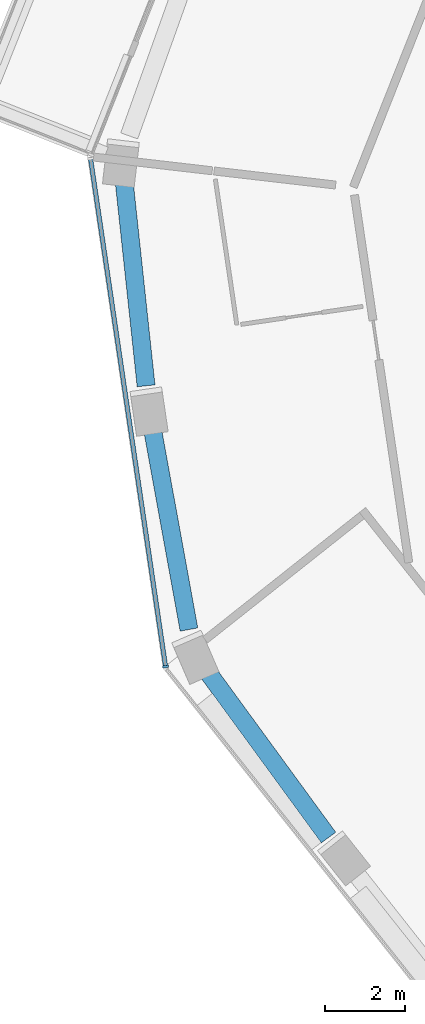
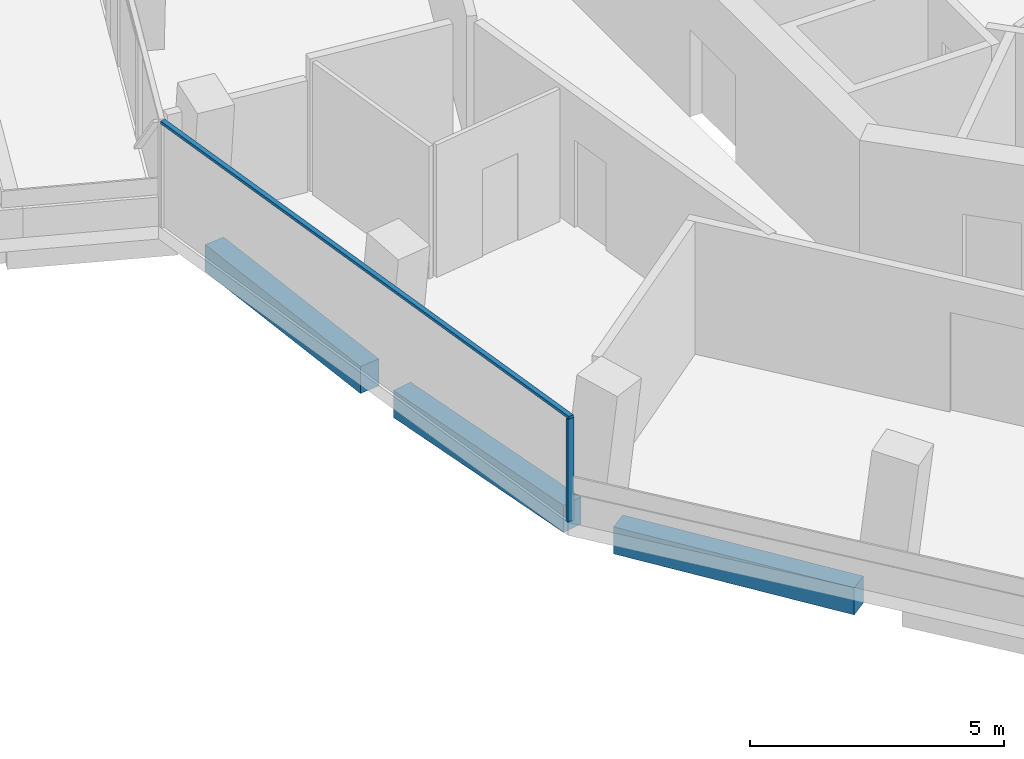
# One storey, part 3 of 21: 3 beams, 2 members, 1 element without a shape of its own.
"""IFC4 building model written with IfcOpenShell, lengths in metres."""

from ifc_helpers import new_model, si_unit, direction, frame, origin, origin_2d, place, context, subcontext, project, spatial, rectangle, extrude, material, layer, layer_set, material_profile, profile_set, type_object, element, aggregate, save


model = new_model("IFC4")

# Units and contexts
model_context = context("Model", 3, precision=1e-05, world=origin(), true_north=direction((0.0, 1.0)))
body_context = subcontext(model_context, "Body", "Model", "MODEL_VIEW")
ifc_project = project(units=[si_unit("LENGTHUNIT", "METRE"), si_unit("AREAUNIT", "SQUARE_METRE"), si_unit("VOLUMEUNIT", "CUBIC_METRE"), si_unit("PLANEANGLEUNIT", "RADIAN"), si_unit("MASSUNIT", "GRAM", prefix="KILO")], contexts=[model_context])

# Site, building, storey
site_placement = place(None, origin())
site = spatial("IfcSite", under=ifc_project, at=site_placement, CompositionType="ELEMENT")
building_placement = place(site_placement, origin())
building = spatial("IfcBuilding", under=site, at=building_placement, Name="Verdalira Terraces Hotel", CompositionType="ELEMENT")
storey_placement = place(building_placement, frame((0.0, 0.0, 190.5)))
storey = spatial("IfcBuildingStorey", under=building, at=storey_placement, Name="L46", CompositionType="ELEMENT", Elevation=190.5)

# Curtain wall, members
ifc_material_1 = material(Name="Clear glass", Category="glass")
ifc_layer = layer(ifc_material_1, 0.14990234375)
ifc_layer_set = layer_set([ifc_layer], Name="CW1 curtain wall")
curtain_wall_type = type_object("IfcCurtainWallType", Name="CW1 curtain wall", PredefinedType="NOTDEFINED", material=ifc_layer_set)
curtain_wall_placement = place(storey_placement, origin())
curtain_wall = element("IfcCurtainWall", 1, at=curtain_wall_placement, inside=storey, type_object=curtain_wall_type, Name="CW1 curtain wall L46 edge 12", PredefinedType="NOTDEFINED")
ifc_material_2 = material(Name="Terracotta frame", Category="masonry")
ifc_material_profile_1 = material_profile(ifc_material_2, rectangle(XDim=0.060059, YDim=0.149902, at=origin_2d()), Name="MU 60x150")
ifc_profile_set_1 = profile_set([ifc_material_profile_1], Name="Terracotta frame")
member_type_1 = type_object("IfcMemberType", Name="CW1 mullion 60x150", PredefinedType="MULLION", material=ifc_profile_set_1)
member_1_placement = place(storey_placement, frame((-22.97876, -9.93335, 0.0), z_axis=(0.0, 0.0, 1.0), x_axis=(0.146083029, -0.989272333, 0.0)))
member_1 = element("IfcMember", 2, at=member_1_placement, type_object=member_type_1, Name="CW1 mullion", PredefinedType="MULLION", context=body_context, shape_type="SweptSolid", body=[
    extrude(rectangle(XDim=0.060059, YDim=0.149902, at=origin_2d()), origin(), (0.0, 0.0, 1.0), 2.475098),
])
ifc_material_3 = material(Name="Terracotta frame", Category="masonry")
ifc_material_profile_2 = material_profile(ifc_material_3, rectangle(XDim=0.110107, YDim=0.064941, at=origin_2d()), Name="TR 65x110")
ifc_profile_set_2 = profile_set([ifc_material_profile_2], Name="Terracotta frame")
member_type_2 = type_object("IfcMemberType", Name="CW1 transom 65x110", PredefinedType="USERDEFINED", material=ifc_profile_set_2)
member_2_placement = place(storey_placement, frame((-24.867676, 2.857666, 2.507568), z_axis=(0.146090535, -0.989271225, 0.0), x_axis=(0.989271225, 0.146090535, 0.0)))
member_2 = element("IfcMember", 3, at=member_2_placement, type_object=member_type_2, Name="CW1 transom", ObjectType="TRANSOM", PredefinedType="USERDEFINED", context=body_context, shape_type="SweptSolid", body=[
    extrude(rectangle(XDim=0.110107, YDim=0.064941, at=origin_2d()), origin(), (0.0, 0.0, 1.0), 12.959961),
])
aggregate(curtain_wall, [member_1, member_2])

# Beams
ifc_material_4 = material(Name="Concrete C50", Category="concrete")
ifc_material_profile_3 = material_profile(ifc_material_4, rectangle(XDim=0.449951, YDim=0.649902, at=origin_2d()), Name="RC 450X650")
ifc_profile_set_3 = profile_set([ifc_material_profile_3], Name="Concrete C50")
beam_type = type_object("IfcBeamType", Name="Spandrel beam RC 450X650 C50", PredefinedType="SPANDREL", material=ifc_profile_set_3)
beam_1_placement = place(storey_placement, frame((-24.022949, 2.283691, -0.63501), z_axis=(0.10674066, -0.994286896, 0.0), x_axis=(0.994286896, 0.10674066, 0.0)))
element("IfcBeam", 4, at=beam_1_placement, inside=storey, type_object=beam_type, Name="Spandrel beam B06", PredefinedType="SPANDREL", context=body_context, shape_type="SweptSolid", body=[
    extrude(rectangle(XDim=0.449951, YDim=0.649902, at=origin_2d()), origin(), (0.0, 0.0, 1.0), 5.191895),
])
beam_2_placement = place(storey_placement, frame((-23.321289, -3.895996, -0.63501), z_axis=(0.179204223, -0.983811896, 0.0), x_axis=(0.983811896, 0.179204223, 0.0)))
element("IfcBeam", 5, at=beam_2_placement, inside=storey, type_object=beam_type, Name="Spandrel beam B07", PredefinedType="SPANDREL", context=body_context, shape_type="SweptSolid", body=[
    extrude(rectangle(XDim=0.449951, YDim=0.649902, at=origin_2d()), origin(), (0.0, 0.0, 1.0), 5.189209),
])
beam_3_placement = place(storey_placement, frame((-21.946289, -10.033691, -0.63501), z_axis=(0.589574385, -0.807714086, 0.0), x_axis=(0.807714086, 0.589574385, 0.0)))
element("IfcBeam", 6, at=beam_3_placement, inside=storey, type_object=beam_type, Name="Spandrel beam B08", PredefinedType="SPANDREL", context=body_context, shape_type="SweptSolid", body=[
    extrude(rectangle(XDim=0.449951, YDim=0.649902, at=origin_2d()), origin(), (0.0, 0.0, 1.0), 5.191895),
])

save(model, "model.ifc")
